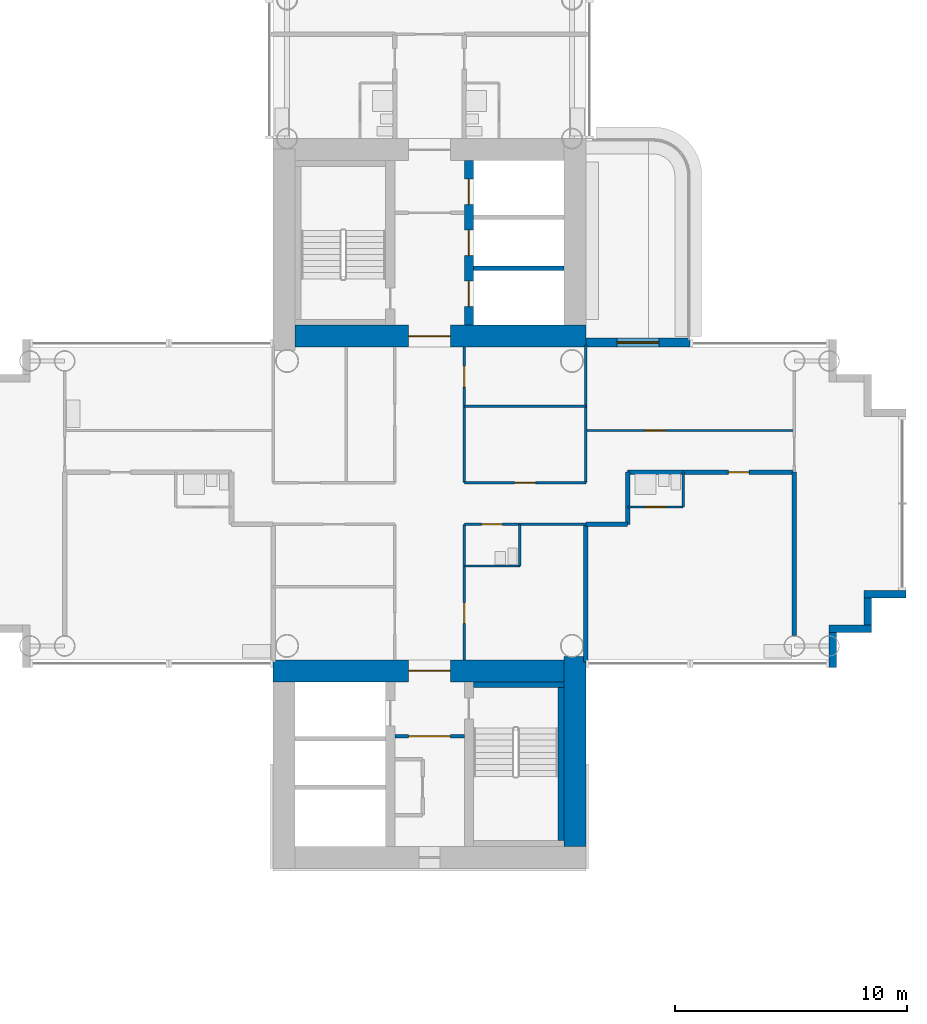
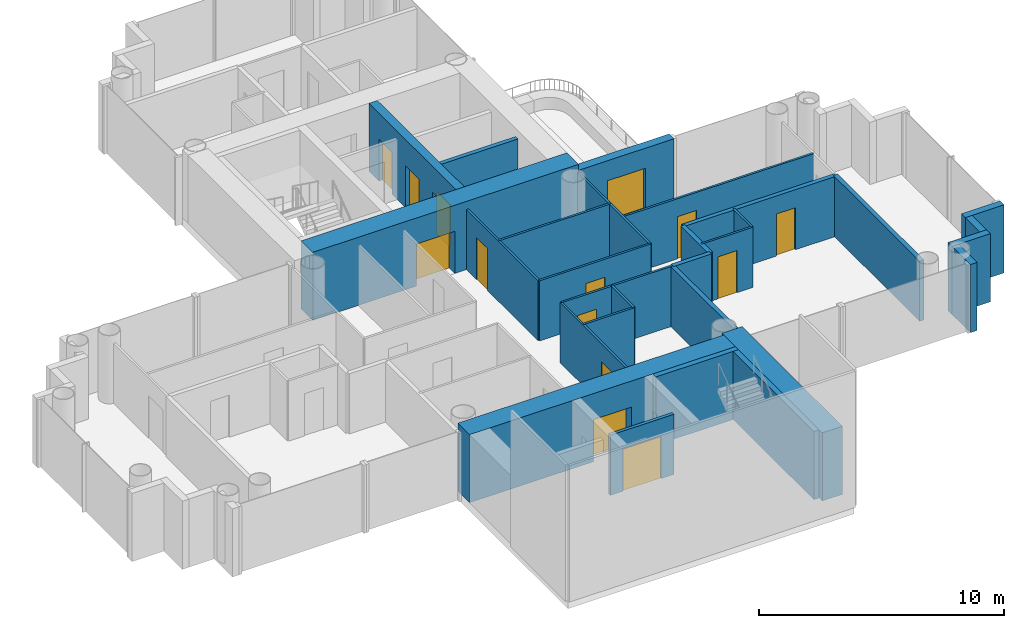
# One storey, part 13 of 21: 29 walls, 14 doors, 14 openings.
"""IFC4 building model written with IfcOpenShell, lengths in metres."""

from ifc_helpers import new_model, si_unit, direction, frame, frame_2d, origin, place, context, subcontext, project, spatial, rectangle, extrude, material, layer, layer_set, type_object, element, fill, save


model = new_model("IFC4")

# Units and contexts
model_context = context("Model", 3, precision=1e-05, world=origin(), true_north=direction((0.0, 1.0)))
body_context = subcontext(model_context, "Body", "Model", "MODEL_VIEW")
ifc_project = project(units=[si_unit("LENGTHUNIT", "METRE"), si_unit("AREAUNIT", "SQUARE_METRE"), si_unit("VOLUMEUNIT", "CUBIC_METRE"), si_unit("PLANEANGLEUNIT", "RADIAN"), si_unit("MASSUNIT", "GRAM", prefix="KILO")], contexts=[model_context])

# Site, building, storey
site_placement = place(None, origin())
site = spatial("IfcSite", under=ifc_project, at=site_placement, CompositionType="ELEMENT")
building_placement = place(site_placement, origin())
building = spatial("IfcBuilding", under=site, at=building_placement, Name="Ipe Terrace Towers", CompositionType="ELEMENT")
storey_placement = place(building_placement, frame((0.0, 0.0, 97.0)))
storey = spatial("IfcBuildingStorey", under=building, at=storey_placement, Name="L26", CompositionType="ELEMENT", Elevation=97.0)

# Wall, opening, door
ifc_material_1 = material(Name="Concrete C40/50 with buff precast cladding", Category="concrete")
ifc_layer_1 = layer(ifc_material_1, 0.39990234375)
ifc_layer_set_1 = layer_set([ifc_layer_1], Name="BALCONY BAY WALL 400")
wall_type_1 = type_object("IfcWallType", Name="BALCONY BAY WALL 400", PredefinedType="STANDARD", material=ifc_layer_set_1)
wall_1_placement = place(storey_placement, frame((47.25, 6.949951171875, -0.02001953125), z_axis=(0.0, 0.0, 1.0), x_axis=(-1.0, 0.0, 0.0)))
wall_1 = element("IfcWall", 1, at=wall_1_placement, inside=storey, type_object=wall_type_1, Name="T2-W-L26-14a wall", PredefinedType="STANDARD", context=body_context, shape_type="SweptSolid", body=[
    extrude(rectangle(XDim=4.5, YDim=0.39990234375, at=frame_2d((2.25, 0.0))), origin(), (0.0, 0.0, 1.0), 3.1201171875),
])
opening_1_placement = place(wall_1_placement, frame((1.35009765625, 0.0, 0.02001953125)))
opening_1 = element("IfcOpeningElement", 2, at=opening_1_placement, cuts=wall_1, Name="Opening T2-D-L26-14", PredefinedType="OPENING", context=body_context, shape_type="SweptSolid", body=[
    extrude(rectangle(XDim=1.800048828125, YDim=2.10009765625, at=frame_2d((0.89990234375, 1.050048828125))), frame((0.0, 0.2099609375, 0.0), z_axis=(0.0, -1.0, 0.0), x_axis=(1.0, 0.0, 0.0)), (0.0, 0.0, 1.0), 0.419921875),
])
ifc_material_2 = material(Name="Aluminium alloy 6063-T6 framed glazed door", Category="aluminium")
door_type_1 = type_object("IfcDoorType", Name="BALCONY DOOR 1800 x 2100 RIGHT", OperationType="SINGLE_SWING_RIGHT", PredefinedType="DOOR", material=ifc_material_2)
door_1_placement = place(opening_1_placement, origin())
door_1 = element("IfcDoor", 3, at=door_1_placement, inside=storey, type_object=door_type_1, Name="DB2 door", OperationType="SINGLE_SWING_RIGHT", OverallHeight=2.10009765625, OverallWidth=1.800048828125, PredefinedType="DOOR", context=body_context, shape_type="SweptSolid", body=[
    extrude(rectangle(XDim=1.800048828125, YDim=2.10009765625, at=frame_2d((0.89990234375, 1.050048828125))), frame((0.0, 0.02490234375, 0.0), z_axis=(0.0, -1.0, 0.0), x_axis=(1.0, 0.0, 0.0)), (0.0, 0.0, 1.0), 0.050048828125),
])
fill(opening_1, door_1)

# Walls
ifc_material_3 = material(Name="Concrete C40/50 with buff precast cladding", Category="concrete")
ifc_layer_2 = layer(ifc_material_3, 0.320068359375)
ifc_layer_set_2 = layer_set([ifc_layer_2], Name="BUFF CLADDING WALL 320")
wall_type_2 = type_object("IfcWallType", Name="BUFF CLADDING WALL 320", PredefinedType="STANDARD", material=ifc_layer_set_2)
wall_2_placement = place(storey_placement, frame((53.409912109375, -7.070068359375, -0.300048828125), z_axis=(0.0, 0.0, 1.0), x_axis=(0.0, 1.0, 0.0)))
element("IfcWall", 4, at=wall_2_placement, inside=storey, type_object=wall_type_2, Name="T2-W-L26-04a wall", PredefinedType="STANDARD", context=body_context, shape_type="SweptSolid", body=[
    extrude(rectangle(XDim=1.5, YDim=0.320068359375, at=frame_2d((0.75, 0.0))), origin(), (0.0, 0.0, 1.0), 3.400146484375),
])
wall_3_placement = place(storey_placement, frame((53.25, -5.409912109375, -0.300048828125), z_axis=(0.0, 0.0, 1.0), x_axis=(1.0, 0.0, 0.0)))
element("IfcWall", 5, at=wall_3_placement, inside=storey, type_object=wall_type_2, Name="T2-W-L26-05a wall", PredefinedType="STANDARD", context=body_context, shape_type="SweptSolid", body=[
    extrude(rectangle(XDim=1.820068359375, YDim=0.320068359375, at=frame_2d((0.91015625, 0.0))), origin(), (0.0, 0.0, 1.0), 3.400146484375),
])
wall_4_placement = place(storey_placement, frame((54.909912109375, -5.25, -0.300048828125), z_axis=(0.0, 0.0, 1.0), x_axis=(0.0, 1.0, 0.0)))
element("IfcWall", 6, at=wall_4_placement, inside=storey, type_object=wall_type_2, Name="T2-W-L26-06a wall", PredefinedType="STANDARD", context=body_context, shape_type="SweptSolid", body=[
    extrude(rectangle(XDim=1.179931640625, YDim=0.320068359375, at=frame_2d((0.58984375, 0.0))), origin(), (0.0, 0.0, 1.0), 3.400146484375),
])
wall_5_placement = place(storey_placement, frame((54.75, -3.909912109375, -0.300048828125), z_axis=(0.0, 0.0, 1.0), x_axis=(1.0, 0.0, 0.0)))
element("IfcWall", 7, at=wall_5_placement, inside=storey, type_object=wall_type_2, Name="T2-W-L26-07a wall", PredefinedType="STANDARD", context=body_context, shape_type="SweptSolid", body=[
    extrude(rectangle(XDim=1.820068359375, YDim=0.320068359375, at=frame_2d((0.91015625, 0.0))), origin(), (0.0, 0.0, 1.0), 3.400146484375),
])
ifc_material_4 = material(Name="Gypsum board partition", Category="plasterboard")
ifc_layer_3 = layer(ifc_material_4, 0.10009765625)
ifc_layer_set_3 = layer_set([ifc_layer_3], Name="Gypsum board partition 100 mm")
wall_type_3 = type_object("IfcWallType", Name="Gypsum board partition 100 mm", PredefinedType="PARTITIONING", material=ifc_layer_set_3)
wall_6_placement = place(storey_placement, frame((39.89990234375, -2.699951171875, 0.0), z_axis=(0.0, 0.0, 1.0), x_axis=(-1.0, 0.0, 0.0)))
element("IfcWall", 8, at=wall_6_placement, inside=storey, type_object=wall_type_3, Name="Gypsum board partition T2 L26 W02", PredefinedType="PARTITIONING", context=body_context, shape_type="SweptSolid", body=[
    extrude(rectangle(XDim=2.39990234375, YDim=0.10009765625, at=frame_2d((1.199951171875, 0.0))), origin(), (0.0, 0.0, 1.0), 3.0),
])

# Wall, opening, door
wall_7_placement = place(storey_placement, frame((42.75, -0.89990234375, 0.0), z_axis=(0.0, 0.0, 1.0), x_axis=(-1.0, 0.0, 0.0)))
wall_7 = element("IfcWall", 9, at=wall_7_placement, inside=storey, type_object=wall_type_3, Name="Gypsum board partition T2 L26 W03", PredefinedType="PARTITIONING", context=body_context, shape_type="SweptSolid", body=[
    extrude(rectangle(XDim=5.25, YDim=0.10009765625, at=frame_2d((2.625, 0.0))), origin(), (0.0, 0.0, 1.0), 3.0),
])
opening_2_placement = place(wall_7_placement, frame((3.60009765625, 0.0, 0.0)))
opening_2 = element("IfcOpeningElement", 10, at=opening_2_placement, cuts=wall_7, Name="Opening T2-Z2E-01", PredefinedType="OPENING", context=body_context, shape_type="SweptSolid", body=[
    extrude(rectangle(XDim=0.89990234375, YDim=2.10009765625, at=frame_2d((0.449951171875, 1.050048828125))), frame((0.0, 0.06005859375, 0.0), z_axis=(0.0, -1.0, 0.0), x_axis=(1.0, 0.0, 0.0)), (0.0, 0.0, 1.0), 0.1201171875),
])
ifc_material_5 = material(Name="Timber door leaf", Category="wood")
door_type_2 = type_object("IfcDoorType", Name="Bathroom door 900 x 2100", OperationType="NOTDEFINED", PredefinedType="DOOR", material=ifc_material_5)
door_2_placement = place(opening_2_placement, origin())
door_2 = element("IfcDoor", 11, at=door_2_placement, inside=storey, type_object=door_type_2, Name="Bathroom door T2-Z2E-01", OperationType="SINGLE_SWING_LEFT", OverallHeight=2.10009765625, OverallWidth=0.89990234375, PredefinedType="DOOR", context=body_context, shape_type="SweptSolid", body=[
    extrude(rectangle(XDim=0.89990234375, YDim=2.10009765625, at=frame_2d((0.449951171875, 1.050048828125))), frame((0.0, 0.02490234375, 0.0), z_axis=(0.0, -1.0, 0.0), x_axis=(1.0, 0.0, 0.0)), (0.0, 0.0, 1.0), 0.050048828125),
])
fill(opening_2, door_2)

wall_8_placement = place(storey_placement, frame((46.949951171875, -0.14990234375, 0.0), z_axis=(0.0, 0.0, 1.0), x_axis=(-1.0, 0.0, 0.0)))
wall_8 = element("IfcWall", 12, at=wall_8_placement, inside=storey, type_object=wall_type_3, Name="Gypsum board partition T2 L26 W07", PredefinedType="PARTITIONING", context=body_context, shape_type="SweptSolid", body=[
    extrude(rectangle(XDim=2.39990234375, YDim=0.10009765625, at=frame_2d((1.199951171875, 0.0))), origin(), (0.0, 0.0, 1.0), 3.0),
])
opening_3_placement = place(wall_8_placement, frame((0.75, 0.0, 0.0)))
opening_3 = element("IfcOpeningElement", 13, at=opening_3_placement, cuts=wall_8, Name="Opening T2-Z2E-15", PredefinedType="OPENING", context=body_context, shape_type="SweptSolid", body=[
    extrude(rectangle(XDim=0.89990234375, YDim=2.10009765625, at=frame_2d((0.449951171875, 1.050048828125))), frame((0.0, 0.06005859375, 0.0), z_axis=(0.0, -1.0, 0.0), x_axis=(1.0, 0.0, 0.0)), (0.0, 0.0, 1.0), 0.1201171875),
])
door_3_placement = place(opening_3_placement, origin())
door_3 = element("IfcDoor", 14, at=door_3_placement, inside=storey, type_object=door_type_2, Name="Bathroom door T2-Z2E-15", OperationType="SINGLE_SWING_RIGHT", OverallHeight=2.10009765625, OverallWidth=0.89990234375, PredefinedType="DOOR", context=body_context, shape_type="SweptSolid", body=[
    extrude(rectangle(XDim=0.89990234375, YDim=2.10009765625, at=frame_2d((0.449951171875, 1.050048828125))), frame((0.0, 0.02490234375, 0.0), z_axis=(0.0, -1.0, 0.0), x_axis=(1.0, 0.0, 0.0)), (0.0, 0.0, 1.0), 0.050048828125),
])
fill(opening_3, door_3)

wall_9_placement = place(storey_placement, frame((42.75, 0.89990234375, 0.0), z_axis=(0.0, 0.0, 1.0), x_axis=(-1.0, 0.0, 0.0)))
wall_9 = element("IfcWall", 15, at=wall_9_placement, inside=storey, type_object=wall_type_3, Name="Gypsum board partition T2 L26 W09", PredefinedType="PARTITIONING", context=body_context, shape_type="SweptSolid", body=[
    extrude(rectangle(XDim=5.25, YDim=0.10009765625, at=frame_2d((2.625, 0.0))), origin(), (0.0, 0.0, 1.0), 3.0),
])
opening_4_placement = place(wall_9_placement, frame((2.175048828125, 0.0, 0.0)))
opening_4 = element("IfcOpeningElement", 16, at=opening_4_placement, cuts=wall_9, Name="Opening T2-Z2E-07", PredefinedType="OPENING", context=body_context, shape_type="SweptSolid", body=[
    extrude(rectangle(XDim=0.89990234375, YDim=2.10009765625, at=frame_2d((0.449951171875, 1.050048828125))), frame((0.0, 0.06005859375, 0.0), z_axis=(0.0, -1.0, 0.0), x_axis=(1.0, 0.0, 0.0)), (0.0, 0.0, 1.0), 0.1201171875),
])
ifc_material_6 = material(Name="Timber door leaf", Category="wood")
door_type_3 = type_object("IfcDoorType", Name="Lounge door 900 x 2100", OperationType="NOTDEFINED", PredefinedType="DOOR", material=ifc_material_6)
door_4_placement = place(opening_4_placement, origin())
door_4 = element("IfcDoor", 17, at=door_4_placement, inside=storey, type_object=door_type_3, Name="Lounge door T2-Z2E-07", OperationType="SINGLE_SWING_RIGHT", OverallHeight=2.10009765625, OverallWidth=0.89990234375, PredefinedType="DOOR", context=body_context, shape_type="SweptSolid", body=[
    extrude(rectangle(XDim=0.89990234375, YDim=2.10009765625, at=frame_2d((0.449951171875, 1.050048828125))), frame((0.0, 0.02490234375, 0.0), z_axis=(0.0, -1.0, 0.0), x_axis=(1.0, 0.0, 0.0)), (0.0, 0.0, 1.0), 0.050048828125),
])
fill(opening_4, door_4)

wall_10_placement = place(storey_placement, frame((51.75, 3.14990234375, 0.0), z_axis=(0.0, 0.0, 1.0), x_axis=(-1.0, 0.0, 0.0)))
wall_10 = element("IfcWall", 18, at=wall_10_placement, inside=storey, type_object=wall_type_3, Name="Gypsum board partition T2 L26 W13", PredefinedType="PARTITIONING", context=body_context, shape_type="SweptSolid", body=[
    extrude(rectangle(XDim=9.0, YDim=0.10009765625, at=frame_2d((4.5, 0.0))), origin(), (0.0, 0.0, 1.0), 3.0),
])
opening_5_placement = place(wall_10_placement, frame((5.550048828125, 0.0, 0.0)))
opening_5 = element("IfcOpeningElement", 19, at=opening_5_placement, cuts=wall_10, Name="Opening T2-Z2E-13", PredefinedType="OPENING", context=body_context, shape_type="SweptSolid", body=[
    extrude(rectangle(XDim=0.89990234375, YDim=2.10009765625, at=frame_2d((0.449951171875, 1.050048828125))), frame((0.0, 0.06005859375, 0.0), z_axis=(0.0, -1.0, 0.0), x_axis=(1.0, 0.0, 0.0)), (0.0, 0.0, 1.0), 0.1201171875),
])
door_5_placement = place(opening_5_placement, origin())
door_5 = element("IfcDoor", 20, at=door_5_placement, inside=storey, type_object=door_type_3, Name="Lounge door T2-Z2E-13", OperationType="SINGLE_SWING_RIGHT", OverallHeight=2.10009765625, OverallWidth=0.89990234375, PredefinedType="DOOR", context=body_context, shape_type="SweptSolid", body=[
    extrude(rectangle(XDim=0.89990234375, YDim=2.10009765625, at=frame_2d((0.449951171875, 1.050048828125))), frame((0.0, 0.02490234375, 0.0), z_axis=(0.0, -1.0, 0.0), x_axis=(1.0, 0.0, 0.0)), (0.0, 0.0, 1.0), 0.050048828125),
])
fill(opening_5, door_5)

# Walls
wall_11_placement = place(storey_placement, frame((42.75, 4.199951171875, 0.0), z_axis=(0.0, 0.0, 1.0), x_axis=(-1.0, 0.0, 0.0)))
element("IfcWall", 21, at=wall_11_placement, inside=storey, type_object=wall_type_3, Name="Gypsum board partition T2 L26 W15", PredefinedType="PARTITIONING", context=body_context, shape_type="SweptSolid", body=[
    extrude(rectangle(XDim=5.25, YDim=0.10009765625, at=frame_2d((2.625, 0.0))), origin(), (0.0, 0.0, 1.0), 3.0),
])
wall_12_placement = place(storey_placement, frame((46.949951171875, -0.14990234375, 0.0), z_axis=(0.0, 0.0, 1.0), x_axis=(0.0, 1.0, 0.0)))
element("IfcWall", 22, at=wall_12_placement, inside=storey, type_object=wall_type_3, Name="Gypsum board partition T2 L26 W23", PredefinedType="PARTITIONING", context=body_context, shape_type="SweptSolid", body=[
    extrude(rectangle(XDim=1.5, YDim=0.10009765625, at=frame_2d((0.75, 0.0))), origin(), (0.0, 0.0, 1.0), 3.0),
])
wall_13_placement = place(storey_placement, frame((42.75, 0.89990234375, 0.0), z_axis=(0.0, 0.0, 1.0), x_axis=(0.0, 1.0, 0.0)))
element("IfcWall", 23, at=wall_13_placement, inside=storey, type_object=wall_type_3, Name="Gypsum board partition T2 L26 W25", PredefinedType="PARTITIONING", context=body_context, shape_type="SweptSolid", body=[
    extrude(rectangle(XDim=5.9501953125, YDim=0.10009765625, at=frame_2d((2.97509765625, 0.0))), origin(), (0.0, 0.0, 1.0), 3.0),
])
wall_14_placement = place(storey_placement, frame((39.89990234375, -2.699951171875, 0.0), z_axis=(0.0, 0.0, 1.0), x_axis=(0.0, 1.0, 0.0)))
element("IfcWall", 24, at=wall_14_placement, inside=storey, type_object=wall_type_3, Name="Gypsum board partition T2 L26 W27", PredefinedType="PARTITIONING", context=body_context, shape_type="SweptSolid", body=[
    extrude(rectangle(XDim=1.800048828125, YDim=0.10009765625, at=frame_2d((0.89990234375, 0.0))), origin(), (0.0, 0.0, 1.0), 3.0),
])

# Wall, opening, door
wall_15_placement = place(storey_placement, frame((37.5, -6.75, 0.0), z_axis=(0.0, 0.0, 1.0), x_axis=(0.0, 1.0, 0.0)))
wall_15 = element("IfcWall", 25, at=wall_15_placement, inside=storey, type_object=wall_type_3, Name="Gypsum board partition T2 L26 W29", PredefinedType="PARTITIONING", context=body_context, shape_type="SweptSolid", body=[
    extrude(rectangle(XDim=5.85009765625, YDim=0.10009765625, at=frame_2d((2.925048828125, 0.0))), origin(), (0.0, 0.0, 1.0), 3.0),
])
opening_6_placement = place(wall_15_placement, frame((1.574951171875, 0.0, 0.0)))
opening_6 = element("IfcOpeningElement", 26, at=opening_6_placement, cuts=wall_15, Name="Opening T2-Z2E-06", PredefinedType="OPENING", context=body_context, shape_type="SweptSolid", body=[
    extrude(rectangle(XDim=0.89990234375, YDim=2.10009765625, at=frame_2d((0.449951171875, 1.050048828125))), frame((0.0, 0.06005859375, 0.0), z_axis=(0.0, -1.0, 0.0), x_axis=(1.0, 0.0, 0.0)), (0.0, 0.0, 1.0), 0.1201171875),
])
door_6_placement = place(opening_6_placement, origin())
door_6 = element("IfcDoor", 27, at=door_6_placement, inside=storey, type_object=door_type_3, Name="Lounge door T2-Z2E-06", OperationType="SINGLE_SWING_LEFT", OverallHeight=2.10009765625, OverallWidth=0.89990234375, PredefinedType="DOOR", context=body_context, shape_type="SweptSolid", body=[
    extrude(rectangle(XDim=0.89990234375, YDim=2.10009765625, at=frame_2d((0.449951171875, 1.050048828125))), frame((0.0, 0.02490234375, 0.0), z_axis=(0.0, -1.0, 0.0), x_axis=(1.0, 0.0, 0.0)), (0.0, 0.0, 1.0), 0.050048828125),
])
fill(opening_6, door_6)

wall_16_placement = place(storey_placement, frame((37.5, 0.89990234375, 0.0), z_axis=(0.0, 0.0, 1.0), x_axis=(0.0, 1.0, 0.0)))
wall_16 = element("IfcWall", 28, at=wall_16_placement, inside=storey, type_object=wall_type_3, Name="Gypsum board partition T2 L26 W30", PredefinedType="PARTITIONING", context=body_context, shape_type="SweptSolid", body=[
    extrude(rectangle(XDim=5.85009765625, YDim=0.10009765625, at=frame_2d((2.925048828125, 0.0))), origin(), (0.0, 0.0, 1.0), 3.0),
])
opening_7_placement = place(wall_16_placement, frame((4.125, 0.0, 0.0)))
opening_7 = element("IfcOpeningElement", 29, at=opening_7_placement, cuts=wall_16, Name="Opening T2-Z2E-08", PredefinedType="OPENING", context=body_context, shape_type="SweptSolid", body=[
    extrude(rectangle(XDim=0.89990234375, YDim=2.10009765625, at=frame_2d((0.449951171875, 1.050048828125))), frame((0.0, 0.06005859375, 0.0), z_axis=(0.0, -1.0, 0.0), x_axis=(1.0, 0.0, 0.0)), (0.0, 0.0, 1.0), 0.1201171875),
])
door_7_placement = place(opening_7_placement, origin())
door_7 = element("IfcDoor", 30, at=door_7_placement, inside=storey, type_object=door_type_3, Name="Lounge door T2-Z2E-08", OperationType="SINGLE_SWING_RIGHT", OverallHeight=2.10009765625, OverallWidth=0.89990234375, PredefinedType="DOOR", context=body_context, shape_type="SweptSolid", body=[
    extrude(rectangle(XDim=0.89990234375, YDim=2.10009765625, at=frame_2d((0.449951171875, 1.050048828125))), frame((0.0, 0.02490234375, 0.0), z_axis=(0.0, -1.0, 0.0), x_axis=(1.0, 0.0, 0.0)), (0.0, 0.0, 1.0), 0.050048828125),
])
fill(opening_7, door_7)

ifc_material_7 = material(Name="Gypsum board partition", Category="plasterboard")
ifc_layer_4 = layer(ifc_material_7, 0.14990234375)
ifc_layer_set_4 = layer_set([ifc_layer_4], Name="Gypsum board partition 150 mm")
wall_type_4 = type_object("IfcWallType", Name="Gypsum board partition 150 mm", PredefinedType="PARTITIONING", material=ifc_layer_set_4)
wall_17_placement = place(storey_placement, frame((34.5, -10.050048828125, 0.0), z_axis=(0.0, 0.0, 1.0), x_axis=(1.0, 0.0, 0.0)))
wall_17 = element("IfcWall", 31, at=wall_17_placement, inside=storey, type_object=wall_type_4, Name="Gypsum board partition T2 L26 t2c2-lobby-wall", PredefinedType="PARTITIONING", context=body_context, shape_type="SweptSolid", body=[
    extrude(rectangle(XDim=3.0, YDim=0.14990234375, at=frame_2d((1.5, 0.0))), origin(), (0.0, 0.0, 1.0), 3.0),
])
opening_8_placement = place(wall_17_placement, frame((0.60009765625, 0.0, 0.0)))
opening_8 = element("IfcOpeningElement", 32, at=opening_8_placement, cuts=wall_17, Name="Opening T2C2-VD", PredefinedType="OPENING", context=body_context, shape_type="SweptSolid", body=[
    extrude(rectangle(XDim=1.800048828125, YDim=2.10009765625, at=frame_2d((0.89990234375, 1.050048828125))), frame((0.0, 0.0849609375, 0.0), z_axis=(0.0, -1.0, 0.0), x_axis=(1.0, 0.0, 0.0)), (0.0, 0.0, 1.0), 0.169921875),
])
ifc_material_8 = material(Name="Fire-rated timber door leaf", Category="wood")
door_type_4 = type_object("IfcDoorType", Name="Lobby door 1800 x 2100 FD60", OperationType="NOTDEFINED", PredefinedType="DOOR", material=ifc_material_8)
door_8_placement = place(opening_8_placement, origin())
door_8 = element("IfcDoor", 33, at=door_8_placement, inside=storey, type_object=door_type_4, Name="Lobby door T2C2-VD", OperationType="SINGLE_SWING_LEFT", OverallHeight=2.10009765625, OverallWidth=1.800048828125, PredefinedType="DOOR", context=body_context, shape_type="SweptSolid", body=[
    extrude(rectangle(XDim=1.800048828125, YDim=2.10009765625, at=frame_2d((0.89990234375, 1.050048828125))), frame((0.0, 0.02490234375, 0.0), z_axis=(0.0, -1.0, 0.0), x_axis=(1.0, 0.0, 0.0)), (0.0, 0.0, 1.0), 0.050048828125),
])
fill(opening_8, door_8)

# Walls
ifc_material_9 = material(Name="Gypsum board party wall", Category="plasterboard")
ifc_layer_5 = layer(ifc_material_9, 0.199951171875)
ifc_layer_set_5 = layer_set([ifc_layer_5], Name="Gypsum board party wall 200 mm")
wall_type_5 = type_object("IfcWallType", Name="Gypsum board party wall 200 mm", PredefinedType="SOLIDWALL", material=ifc_layer_set_5)
wall_18_placement = place(storey_placement, frame((41.800048828125, 10.14990234375, 0.0), z_axis=(0.0, 0.0, 1.0), x_axis=(-1.0, 0.0, 0.0)))
element("IfcWall", 34, at=wall_18_placement, inside=storey, type_object=wall_type_5, Name="Gypsum board party wall T2 L26 t2c1-shaft-div1", PredefinedType="SOLIDWALL", context=body_context, shape_type="SweptSolid", body=[
    extrude(rectangle(XDim=3.900146484375, YDim=0.199951171875, at=frame_2d((1.9501953125, 0.0))), origin(), (0.0, 0.0, 1.0), 3.0),
])
wall_19_placement = place(storey_placement, frame((44.550048828125, -0.89990234375, 0.0), z_axis=(0.0, 0.0, 1.0), x_axis=(-1.0, 0.0, 0.0)))
element("IfcWall", 35, at=wall_19_placement, inside=storey, type_object=wall_type_5, Name="Gypsum board party wall T2 L26 W05", PredefinedType="SOLIDWALL", context=body_context, shape_type="SweptSolid", body=[
    extrude(rectangle(XDim=1.800048828125, YDim=0.199951171875, at=frame_2d((0.89990234375, 0.0))), origin(), (0.0, 0.0, 1.0), 3.0),
])

# Wall, opening, door
wall_20_placement = place(storey_placement, frame((51.75, 1.35009765625, 0.0), z_axis=(0.0, 0.0, 1.0), x_axis=(-1.0, 0.0, 0.0)))
wall_20 = element("IfcWall", 36, at=wall_20_placement, inside=storey, type_object=wall_type_5, Name="Gypsum board party wall T2 L26 W11", PredefinedType="SOLIDWALL", context=body_context, shape_type="SweptSolid", body=[
    extrude(rectangle(XDim=7.199951171875, YDim=0.199951171875, at=frame_2d((3.60009765625, 0.0))), origin(), (0.0, 0.0, 1.0), 3.0),
])
opening_9_placement = place(wall_20_placement, frame((1.949951171875, 0.0, 0.0)))
opening_9 = element("IfcOpeningElement", 37, at=opening_9_placement, cuts=wall_20, Name="Opening T2-Z2E-14", PredefinedType="OPENING", context=body_context, shape_type="SweptSolid", body=[
    extrude(rectangle(XDim=0.89990234375, YDim=2.10009765625, at=frame_2d((0.449951171875, 1.050048828125))), frame((0.0, 0.10986328125, 0.0), z_axis=(0.0, -1.0, 0.0), x_axis=(1.0, 0.0, 0.0)), (0.0, 0.0, 1.0), 0.219970703125),
])
ifc_material_10 = material(Name="Fire-rated timber door leaf", Category="wood")
door_type_5 = type_object("IfcDoorType", Name="Flat entrance door 900 x 2100 FD30S", OperationType="NOTDEFINED", PredefinedType="DOOR", material=ifc_material_10)
door_9_placement = place(opening_9_placement, origin())
door_9 = element("IfcDoor", 38, at=door_9_placement, inside=storey, type_object=door_type_5, Name="Flat entrance door T2-Z2E-14", OperationType="SINGLE_SWING_RIGHT", OverallHeight=2.10009765625, OverallWidth=0.89990234375, PredefinedType="DOOR", context=body_context, shape_type="SweptSolid", body=[
    extrude(rectangle(XDim=0.89990234375, YDim=2.10009765625, at=frame_2d((0.449951171875, 1.050048828125))), frame((0.0, 0.02490234375, 0.0), z_axis=(0.0, -1.0, 0.0), x_axis=(1.0, 0.0, 0.0)), (0.0, 0.0, 1.0), 0.050048828125),
])
fill(opening_9, door_9)

# Walls
wall_21_placement = place(storey_placement, frame((51.75, -5.699951171875, 0.0), z_axis=(0.0, 0.0, 1.0), x_axis=(0.0, 1.0, 0.0)))
element("IfcWall", 39, at=wall_21_placement, inside=storey, type_object=wall_type_5, Name="Gypsum board party wall T2 L26 W22", PredefinedType="SOLIDWALL", context=body_context, shape_type="SweptSolid", body=[
    extrude(rectangle(XDim=7.050048828125, YDim=0.199951171875, at=frame_2d((3.52490234375, 0.0))), origin(), (0.0, 0.0, 1.0), 3.0),
])
wall_22_placement = place(storey_placement, frame((44.550048828125, -0.89990234375, 0.0), z_axis=(0.0, 0.0, 1.0), x_axis=(0.0, 1.0, 0.0)))
element("IfcWall", 40, at=wall_22_placement, inside=storey, type_object=wall_type_5, Name="Gypsum board party wall T2 L26 W24", PredefinedType="SOLIDWALL", context=body_context, shape_type="SweptSolid", body=[
    extrude(rectangle(XDim=2.25, YDim=0.199951171875, at=frame_2d((1.125, 0.0))), origin(), (0.0, 0.0, 1.0), 3.0),
])
wall_23_placement = place(storey_placement, frame((42.75, -6.85009765625, 0.0), z_axis=(0.0, 0.0, 1.0), x_axis=(0.0, 1.0, 0.0)))
element("IfcWall", 41, at=wall_23_placement, inside=storey, type_object=wall_type_5, Name="Gypsum board party wall T2 L26 W26", PredefinedType="SOLIDWALL", context=body_context, shape_type="SweptSolid", body=[
    extrude(rectangle(XDim=5.9501953125, YDim=0.199951171875, at=frame_2d((2.97509765625, 0.0))), origin(), (0.0, 0.0, 1.0), 3.0),
])
ifc_material_11 = material(Name="Concrete C50/60", Category="concrete")
ifc_layer_6 = layer(ifc_material_11, 0.25)
ifc_layer_set_6 = layer_set([ifc_layer_6], Name="RW250 CORE INFILL WALL 250 C50-60")
wall_type_6 = type_object("IfcWallType", Name="RW250 CORE INFILL WALL 250 C50-60", PredefinedType="SHEAR", material=ifc_layer_set_6)
wall_24_placement = place(storey_placement, frame((41.675048828125, -7.949951171875, 0.0), z_axis=(0.0, 0.0, 1.0), x_axis=(0.0, -1.0, 0.0)))
element("IfcWall", 42, at=wall_24_placement, inside=storey, type_object=wall_type_6, Name="Core infill wall T2-C2-back", PredefinedType="SHEAR", context=body_context, shape_type="SweptSolid", body=[
    extrude(rectangle(XDim=6.60009765625, YDim=0.25, at=frame_2d((3.300048828125, 0.0))), origin(), (0.0, 0.0, 1.0), 3.39990234375),
])
wall_25_placement = place(storey_placement, frame((37.89990234375, -7.824951171875, 0.0), z_axis=(0.0, 0.0, 1.0), x_axis=(1.0, 0.0, 0.0)))
element("IfcWall", 43, at=wall_25_placement, inside=storey, type_object=wall_type_6, Name="Core infill wall T2-C2-near", PredefinedType="SHEAR", context=body_context, shape_type="SweptSolid", body=[
    extrude(rectangle(XDim=3.900146484375, YDim=0.25, at=frame_2d((1.9501953125, 0.0))), origin(), (0.0, 0.0, 1.0), 3.39990234375),
])

# Wall, openings, doors
ifc_material_12 = material(Name="Concrete C50/60", Category="concrete")
ifc_layer_7 = layer(ifc_material_12, 0.39990234375)
ifc_layer_set_7 = layer_set([ifc_layer_7], Name="RW400 CORE SPINE WALL 400 C50-60")
wall_type_7 = type_object("IfcWallType", Name="RW400 CORE SPINE WALL 400 C50-60", PredefinedType="SHEAR", material=ifc_layer_set_7)
wall_26_placement = place(storey_placement, frame((37.699951171875, 7.699951171875, 0.0), z_axis=(0.0, 0.0, 1.0), x_axis=(0.0, 1.0, 0.0)))
wall_26 = element("IfcWall", 44, at=wall_26_placement, inside=storey, type_object=wall_type_7, Name="Core spine wall T2-C1-Z2-SW2", PredefinedType="SHEAR", context=body_context, shape_type="SweptSolid", body=[
    extrude(rectangle(XDim=7.10009765625, YDim=0.39990234375, at=frame_2d((3.550048828125, 0.0))), origin(), (0.0, 0.0, 1.0), 3.39990234375),
])
opening_10_placement = place(wall_26_placement, frame((0.800048828125, 0.0, 0.0)))
opening_10 = element("IfcOpeningElement", 45, at=opening_10_placement, cuts=wall_26, Name="Opening T2C1-LD1", PredefinedType="OPENING", context=body_context, shape_type="SweptSolid", body=[
    extrude(rectangle(XDim=1.10009765625, YDim=2.10009765625, at=frame_2d((0.550048828125, 1.050048828125))), frame((0.0, 0.2099609375, 0.0), z_axis=(0.0, -1.0, 0.0), x_axis=(1.0, 0.0, 0.0)), (0.0, 0.0, 1.0), 0.419921875),
])
opening_11_placement = place(wall_26_placement, frame((3.0, 0.0, 0.0)))
opening_11 = element("IfcOpeningElement", 46, at=opening_11_placement, cuts=wall_26, Name="Opening T2C1-LD2", PredefinedType="OPENING", context=body_context, shape_type="SweptSolid", body=[
    extrude(rectangle(XDim=1.10009765625, YDim=2.10009765625, at=frame_2d((0.550048828125, 1.050048828125))), frame((0.0, 0.2099609375, 0.0), z_axis=(0.0, -1.0, 0.0), x_axis=(1.0, 0.0, 0.0)), (0.0, 0.0, 1.0), 0.419921875),
])
opening_12_placement = place(wall_26_placement, frame((5.199951171875, 0.0, 0.0)))
opening_12 = element("IfcOpeningElement", 47, at=opening_12_placement, cuts=wall_26, Name="Opening T2C1-LD3", PredefinedType="OPENING", context=body_context, shape_type="SweptSolid", body=[
    extrude(rectangle(XDim=1.10009765625, YDim=2.10009765625, at=frame_2d((0.550048828125, 1.050048828125))), frame((0.0, 0.2099609375, 0.0), z_axis=(0.0, -1.0, 0.0), x_axis=(1.0, 0.0, 0.0)), (0.0, 0.0, 1.0), 0.419921875),
])
ifc_material_13 = material(Name="Fire-rated timber door leaf", Category="wood")
door_type_6 = type_object("IfcDoorType", Name="Sliding door 1100 x 2100 FD60", OperationType="SLIDING_TO_LEFT", PredefinedType="DOOR", material=ifc_material_13)
door_10_placement = place(opening_10_placement, origin())
door_10 = element("IfcDoor", 48, at=door_10_placement, inside=storey, type_object=door_type_6, Name="Sliding door T2C1-LD1", OperationType="SLIDING_TO_LEFT", OverallHeight=2.10009765625, OverallWidth=1.10009765625, PredefinedType="DOOR", context=body_context, shape_type="SweptSolid", body=[
    extrude(rectangle(XDim=1.10009765625, YDim=2.10009765625, at=frame_2d((0.550048828125, 1.050048828125))), frame((0.0, 0.02490234375, 0.0), z_axis=(0.0, -1.0, 0.0), x_axis=(1.0, 0.0, 0.0)), (0.0, 0.0, 1.0), 0.050048828125),
])
fill(opening_10, door_10)
door_11_placement = place(opening_11_placement, origin())
door_11 = element("IfcDoor", 49, at=door_11_placement, inside=storey, type_object=door_type_6, Name="Sliding door T2C1-LD2", OperationType="SLIDING_TO_LEFT", OverallHeight=2.10009765625, OverallWidth=1.10009765625, PredefinedType="DOOR", context=body_context, shape_type="SweptSolid", body=[
    extrude(rectangle(XDim=1.10009765625, YDim=2.10009765625, at=frame_2d((0.550048828125, 1.050048828125))), frame((0.0, 0.02490234375, 0.0), z_axis=(0.0, -1.0, 0.0), x_axis=(1.0, 0.0, 0.0)), (0.0, 0.0, 1.0), 0.050048828125),
])
fill(opening_11, door_11)
door_12_placement = place(opening_12_placement, origin())
door_12 = element("IfcDoor", 50, at=door_12_placement, inside=storey, type_object=door_type_6, Name="Sliding door T2C1-LD3", OperationType="SLIDING_TO_LEFT", OverallHeight=2.10009765625, OverallWidth=1.10009765625, PredefinedType="DOOR", context=body_context, shape_type="SweptSolid", body=[
    extrude(rectangle(XDim=1.10009765625, YDim=2.10009765625, at=frame_2d((0.550048828125, 1.050048828125))), frame((0.0, 0.02490234375, 0.0), z_axis=(0.0, -1.0, 0.0), x_axis=(1.0, 0.0, 0.0)), (0.0, 0.0, 1.0), 0.050048828125),
])
fill(opening_12, door_12)

# Wall, opening, door
ifc_material_14 = material(Name="Concrete C50/60", Category="concrete")
ifc_layer_8 = layer(ifc_material_14, 0.949951171875)
ifc_layer_set_8 = layer_set([ifc_layer_8], Name="RW950 CORE WALL 950 C50-60")
wall_type_8 = type_object("IfcWallType", Name="RW950 CORE WALL 950 C50-60", PredefinedType="SHEAR", material=ifc_layer_set_8)
wall_27_placement = place(storey_placement, frame((30.199951171875, 7.22509765625, 0.0), z_axis=(0.0, 0.0, 1.0), x_axis=(1.0, 0.0, 0.0)))
wall_27 = element("IfcWall", 51, at=wall_27_placement, inside=storey, type_object=wall_type_8, Name="Core wall T2-C1-Z2-W01", PredefinedType="SHEAR", context=body_context, shape_type="SweptSolid", body=[
    extrude(rectangle(XDim=12.550048828125, YDim=0.949951171875, at=frame_2d((6.27490234375, 0.0))), origin(), (0.0, 0.0, 1.0), 3.39990234375),
])
opening_13_placement = place(wall_27_placement, frame((4.89990234375, 0.0, 0.0)))
opening_13 = element("IfcOpeningElement", 52, at=opening_13_placement, cuts=wall_27, Name="Opening T2C1-ND", PredefinedType="OPENING", context=body_context, shape_type="SweptSolid", body=[
    extrude(rectangle(XDim=1.800048828125, YDim=2.10009765625, at=frame_2d((0.89990234375, 1.050048828125))), frame((0.0, 0.48486328125, 0.0), z_axis=(0.0, -1.0, 0.0), x_axis=(1.0, 0.0, 0.0)), (0.0, 0.0, 1.0), 0.969970703125),
])
ifc_material_15 = material(Name="Fire-rated timber door leaf", Category="wood")
door_type_7 = type_object("IfcDoorType", Name="Fire door 1800 x 2100 FD30S", OperationType="NOTDEFINED", PredefinedType="DOOR", material=ifc_material_15)
door_13_placement = place(opening_13_placement, origin())
door_13 = element("IfcDoor", 53, at=door_13_placement, inside=storey, type_object=door_type_7, Name="Fire door T2C1-ND", OperationType="SINGLE_SWING_LEFT", OverallHeight=2.10009765625, OverallWidth=1.800048828125, PredefinedType="DOOR", context=body_context, shape_type="SweptSolid", body=[
    extrude(rectangle(XDim=1.800048828125, YDim=2.10009765625, at=frame_2d((0.89990234375, 1.050048828125))), frame((0.0, 0.02490234375, 0.0), z_axis=(0.0, -1.0, 0.0), x_axis=(1.0, 0.0, 0.0)), (0.0, 0.0, 1.0), 0.050048828125),
])
fill(opening_13, door_13)

# Wall
wall_28_placement = place(storey_placement, frame((42.27490234375, -14.800048828125, 0.0), z_axis=(0.0, 0.0, 1.0), x_axis=(0.0, 1.0, 0.0)))
element("IfcWall", 54, at=wall_28_placement, inside=storey, type_object=wall_type_8, Name="Core wall T2-C2-Z2-W02", PredefinedType="SHEAR", context=body_context, shape_type="SweptSolid", body=[
    extrude(rectangle(XDim=8.197998046875, YDim=0.949951171875, at=frame_2d((4.09912109375, 0.0))), origin(), (0.0, 0.0, 1.0), 3.39990234375),
])

# Wall, opening, door
wall_29_placement = place(storey_placement, frame((41.800048828125, -7.22509765625, 0.0), z_axis=(0.0, 0.0, 1.0), x_axis=(-1.0, 0.0, 0.0)))
wall_29 = element("IfcWall", 55, at=wall_29_placement, inside=storey, type_object=wall_type_8, Name="Core wall T2-C2-Z2-W03", PredefinedType="SHEAR", context=body_context, shape_type="SweptSolid", body=[
    extrude(rectangle(XDim=12.550048828125, YDim=0.949951171875, at=frame_2d((6.27490234375, 0.0))), origin(), (0.0, 0.0, 1.0), 3.39990234375),
])
opening_14_placement = place(wall_29_placement, frame((4.89990234375, 0.0, 0.0)))
opening_14 = element("IfcOpeningElement", 56, at=opening_14_placement, cuts=wall_29, Name="Opening T2C2-ND", PredefinedType="OPENING", context=body_context, shape_type="SweptSolid", body=[
    extrude(rectangle(XDim=1.800048828125, YDim=2.10009765625, at=frame_2d((0.89990234375, 1.050048828125))), frame((0.0, 0.48486328125, 0.0), z_axis=(0.0, -1.0, 0.0), x_axis=(1.0, 0.0, 0.0)), (0.0, 0.0, 1.0), 0.969970703125),
])
door_14_placement = place(opening_14_placement, origin())
door_14 = element("IfcDoor", 57, at=door_14_placement, inside=storey, type_object=door_type_7, Name="Fire door T2C2-ND", OperationType="SINGLE_SWING_LEFT", OverallHeight=2.10009765625, OverallWidth=1.800048828125, PredefinedType="DOOR", context=body_context, shape_type="SweptSolid", body=[
    extrude(rectangle(XDim=1.800048828125, YDim=2.10009765625, at=frame_2d((0.89990234375, 1.050048828125))), frame((0.0, 0.02490234375, 0.0), z_axis=(0.0, -1.0, 0.0), x_axis=(1.0, 0.0, 0.0)), (0.0, 0.0, 1.0), 0.050048828125),
])
fill(opening_14, door_14)

save(model, "model.ifc")
